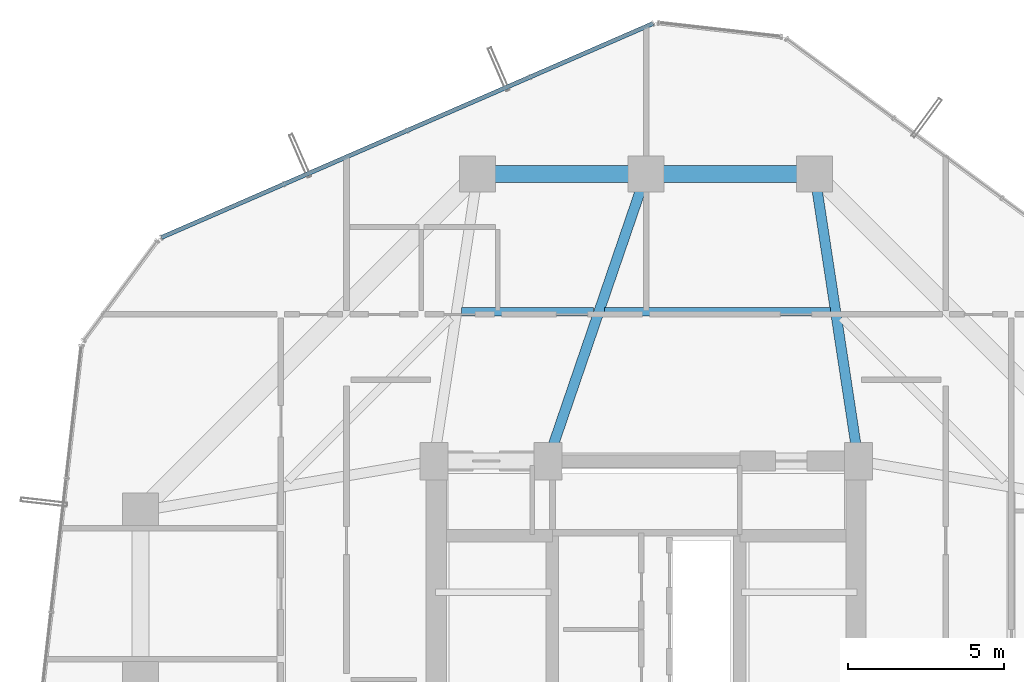
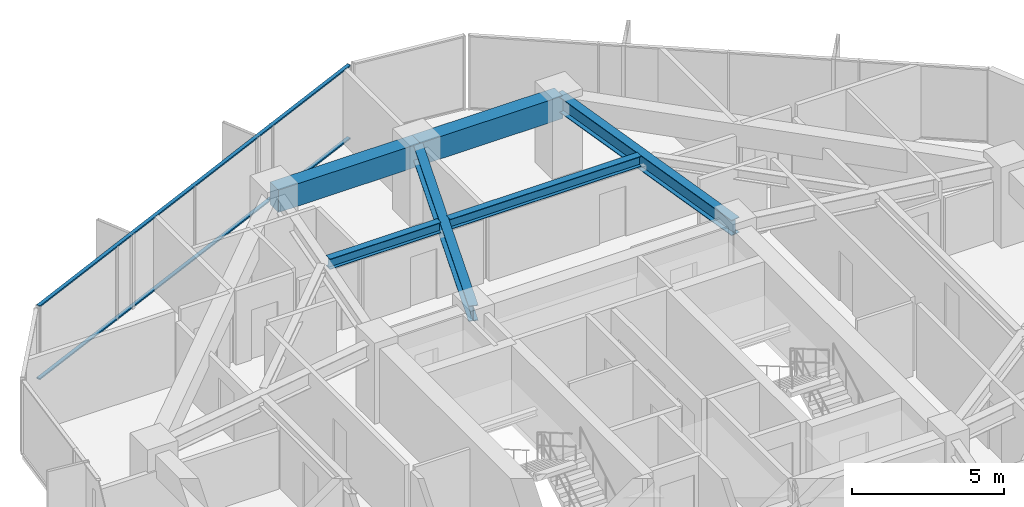
# One storey, part 19 of 29: 6 beams, 2 members, 1 element without a shape of its own.
"""IFC4 building model written with IfcOpenShell, lengths in metres."""

from ifc_helpers import new_model, si_unit, direction, frame, origin, origin_2d, place, context, subcontext, project, spatial, rectangle, hollow_rectangle, i_section, extrude, source, transform, mapped, material, layer, layer_set, material_profile, profile_set, type_object, element, aggregate, save


model = new_model("IFC4")

# Units and contexts
model_context = context("Model", 3, precision=1e-05, world=origin(), true_north=direction((0.0, 1.0)))
body_context = subcontext(model_context, "Body", "Model", "MODEL_VIEW")
ifc_project = project(units=[si_unit("LENGTHUNIT", "METRE"), si_unit("AREAUNIT", "SQUARE_METRE"), si_unit("VOLUMEUNIT", "CUBIC_METRE"), si_unit("PLANEANGLEUNIT", "RADIAN"), si_unit("MASSUNIT", "GRAM", prefix="KILO")], contexts=[model_context])

# Site, building, storey
site_placement = place(None, origin())
site = spatial("IfcSite", under=ifc_project, at=site_placement, CompositionType="ELEMENT")
building_placement = place(site_placement, origin())
building = spatial("IfcBuilding", under=site, at=building_placement, Name="Veraguas Prism Commons", CompositionType="ELEMENT")
storey_placement = place(building_placement, frame((0.0, 0.0, 105.699951171875)))
storey = spatial("IfcBuildingStorey", under=building, at=storey_placement, Name="L29", CompositionType="ELEMENT", Elevation=105.699951171875)

# Beams
ifc_material_1 = material(Name="Steel ASTM A992 Grade 50", Category="steel")
ifc_material_profile_1 = material_profile(ifc_material_1, i_section(OverallWidth=0.260986328125, OverallDepth=0.419921875, WebThickness=0.01171875, FlangeThickness=0.019287109375, at=origin_2d()), Name="W410X114")
ifc_profile_set_1 = profile_set([ifc_material_profile_1], Name="Steel ASTM A992 Grade 50")
beam_type_1 = type_object("IfcBeamType", Name="Lower Floor Joist W410x114", PredefinedType="JOIST", material=ifc_profile_set_1)
beam_1_placement = place(storey_placement, frame((29.908203125, 35.783935546875, 2.760009765625), z_axis=(-1.0, 0.0, 0.0), x_axis=(0.0, -1.0, 0.0)))
element("IfcBeam", 1, at=beam_1_placement, inside=storey, type_object=beam_type_1, Name="Composite Floor Joist L29-JS04", PredefinedType="JOIST", context=body_context, shape_type="SweptSolid", body=[
    extrude(i_section(OverallWidth=0.260986328125, OverallDepth=0.419921875, WebThickness=0.01171875, FlangeThickness=0.019287109375, at=origin_2d()), origin(), (0.0, 0.0, 1.0), 7.2490234375),
])
beam_2_placement = place(storey_placement, frame((22.31689453125, 35.783935546875, 2.760009765625), z_axis=(-1.0, 0.0, 0.0), x_axis=(0.0, -1.0, 0.0)))
element("IfcBeam", 2, at=beam_2_placement, inside=storey, type_object=beam_type_1, Name="Composite Floor Joist L29-JS05", PredefinedType="JOIST", context=body_context, shape_type="SweptSolid", body=[
    extrude(i_section(OverallWidth=0.260986328125, OverallDepth=0.419921875, WebThickness=0.01171875, FlangeThickness=0.019287109375, at=origin_2d()), origin(), (0.0, 0.0, 1.0), 4.22509765625),
])
ifc_material_2 = material(Name="Concrete C50/60", Category="concrete")
ifc_material_profile_2 = material_profile(ifc_material_2, rectangle(XDim=0.550048828125, YDim=0.89990234375, at=origin_2d()), Name="RC550X900")
ifc_profile_set_2 = profile_set([ifc_material_profile_2], Name="Concrete C50/60")
beam_type_2 = type_object("IfcBeamType", Name="Perimeter Spandrel Lower RC 550x900", PredefinedType="SPANDREL", material=ifc_profile_set_2)
for number, where, z_axis, x_axis, name in (
    (3, (29.39990234375, 40.199951171875, 2.52001953125), (-1.0, 0.0, 0.0), (0.0, -1.0, 0.0), "Perimeter Spandrel Beam L29-SP04"),
    (4, (24.0, 40.199951171875, 2.52001953125), (-1.0, 0.0, 0.0), (0.0, -1.0, 0.0), "Perimeter Spandrel Beam L29-SP05"),
):
    element("IfcBeam", number, at=place(storey_placement, frame(where, z_axis=z_axis, x_axis=x_axis)), inside=storey, type_object=beam_type_2, Name=name, PredefinedType="SPANDREL", context=body_context, shape_type="SweptSolid", body=[
        extrude(rectangle(XDim=0.550048828125, YDim=0.89990234375, at=origin_2d()), origin(), (0.0, 0.0, 1.0), 5.39990234375),
    ])
ifc_material_profile_3 = material_profile(ifc_material_1, i_section(OverallWidth=0.327880859375, OverallDepth=0.6220703125, WebThickness=0.015380859375, FlangeThickness=0.0244140625, at=origin_2d()), Name="W610X195")
ifc_profile_set_3 = profile_set([ifc_material_profile_3], Name="Steel ASTM A992 Grade 50")
beam_type_3 = type_object("IfcBeamType", Name="Zone 2 Radial Girder W610x195", PredefinedType="BEAM", material=ifc_profile_set_3)
beam_3_placement = place(storey_placement, frame((29.39990234375, 40.199951171875, 2.658935546875), z_axis=(0.150458162136, -0.98861637729, 0.0), x_axis=(0.98861637729, 0.150458162136, 0.0)))
element("IfcBeam", 5, at=beam_3_placement, inside=storey, type_object=beam_type_3, Name="Radial Floor Girder L29-RD04", PredefinedType="BEAM", context=body_context, shape_type="SweptSolid", body=[
    extrude(i_section(OverallWidth=0.327880859375, OverallDepth=0.6220703125, WebThickness=0.015380859375, FlangeThickness=0.0244140625, at=origin_2d()), origin(), (0.0, 0.0, 1.0), 9.305908203125),
])
beam_4_placement = place(storey_placement, frame((24.0, 40.199951171875, 2.658935546875), z_axis=(-0.323922482989, -0.946083624747, 0.0), x_axis=(0.946083624747, -0.323922482989, 0.0)))
element("IfcBeam", 6, at=beam_4_placement, inside=storey, type_object=beam_type_3, Name="Radial Floor Girder L29-RD05", PredefinedType="BEAM", context=body_context, shape_type="SweptSolid", body=[
    extrude(i_section(OverallWidth=0.327880859375, OverallDepth=0.6220703125, WebThickness=0.015380859375, FlangeThickness=0.0244140625, at=origin_2d()), origin(), (0.0, 0.0, 1.0), 9.724365234375),
])

# Curtain wall, members
ifc_material_3 = material(Name="Anodised aluminium EN AW-6063 T6", Category="aluminium")
ifc_layer = layer(ifc_material_3, 0.169921875, Name="Unitised Flush Curtain Wall Zone 2", Category="aluminium")
ifc_layer_set = layer_set([ifc_layer], Name="Anodised aluminium EN AW-6063 T6")
curtain_wall_type = type_object("IfcCurtainWallType", Name="Unitised Flush Curtain Wall Zone 2", PredefinedType="NOTDEFINED", material=ifc_layer_set)
curtain_wall_placement = place(storey_placement, origin())
curtain_wall = element("IfcCurtainWall", 7, at=curtain_wall_placement, inside=storey, type_object=curtain_wall_type, Name="Tower Facade Curtain Wall L29-F2", PredefinedType="NOTDEFINED")
ifc_material_profile_4 = material_profile(ifc_material_3, hollow_rectangle(XDim=0.054931640625, YDim=0.135009765625, WallThickness=0.0029296875, at=origin_2d()), Name="AL55X135X3")
ifc_profile_set_4 = profile_set([ifc_material_profile_4], Name="Anodised aluminium EN AW-6063 T6")
member_type = type_object("IfcMemberType", Name="Curtain Wall Transom Standard AL 55x135x3", PredefinedType="USERDEFINED", material=ifc_profile_set_4)
shared_shape = source(origin(), body_context, "Body", "SweptSolid", [
    extrude(hollow_rectangle(XDim=0.054931640625, YDim=0.135009765625, WallThickness=0.0029296875, at=origin_2d()), origin(), (0.0, 0.0, 1.0), 17.17431640625),
])
member_1_placement = place(storey_placement, frame((24.21875, 45.015625, 0.027587890625), z_axis=(-0.916921058387, -0.399068631548, 0.0), x_axis=(0.0, 0.0, 1.0)))
member_1 = element("IfcMember", 8, at=member_1_placement, type_object=member_type, Name="CW-Z2 Transom 1", ObjectType="TRANSOM", PredefinedType="USERDEFINED", context=body_context, shape_type="MappedRepresentation", body=[
    mapped(shared_shape, transform((0.0, 0.0, 0.0), scale=1.0)),
])
member_2_placement = place(storey_placement, frame((24.21875, 45.015625, 2.942626953125), z_axis=(-0.916921058387, -0.399068631548, 0.0), x_axis=(0.0, 0.0, 1.0)))
member_2 = element("IfcMember", 9, at=member_2_placement, type_object=member_type, Name="CW-Z2 Transom 2", ObjectType="TRANSOM", PredefinedType="USERDEFINED", context=body_context, shape_type="MappedRepresentation", body=[
    mapped(shared_shape, transform((0.0, 0.0, 0.0), scale=1.0)),
])
aggregate(curtain_wall, [member_1, member_2])

save(model, "model.ifc")
